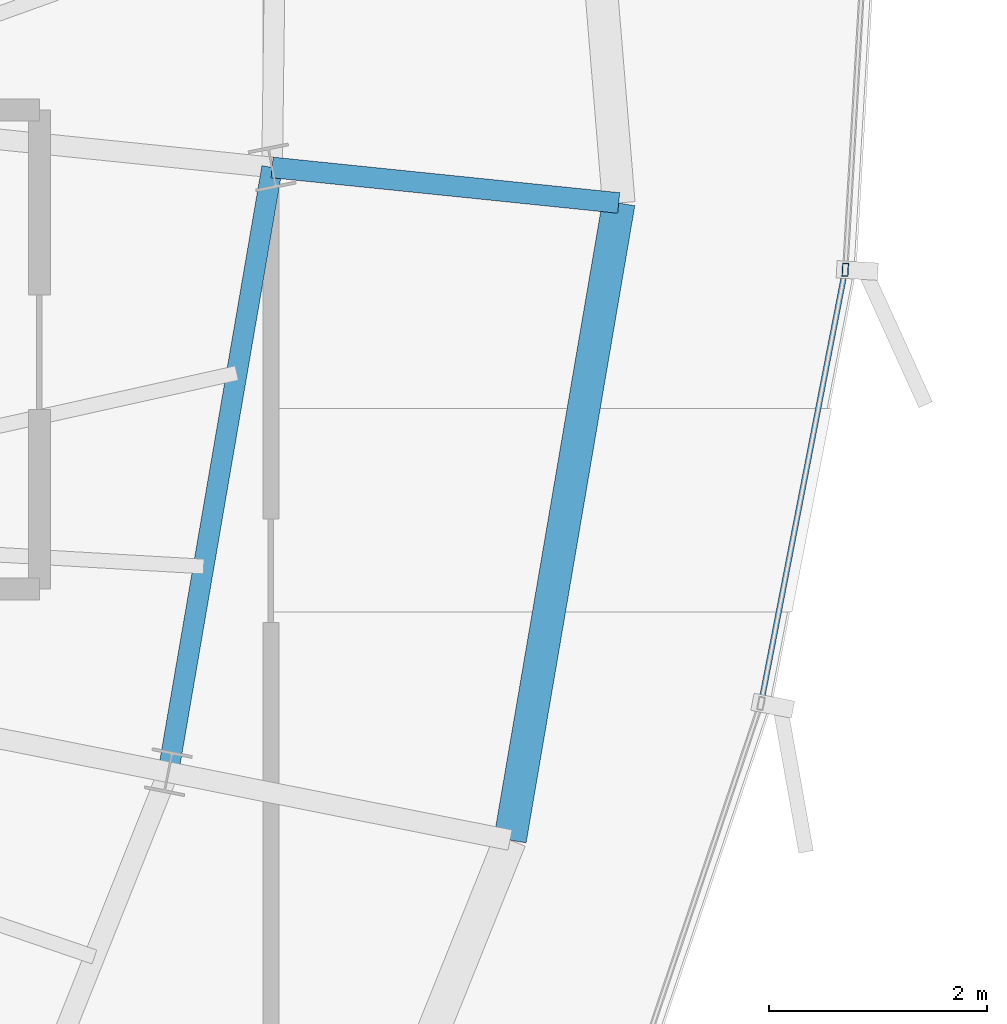
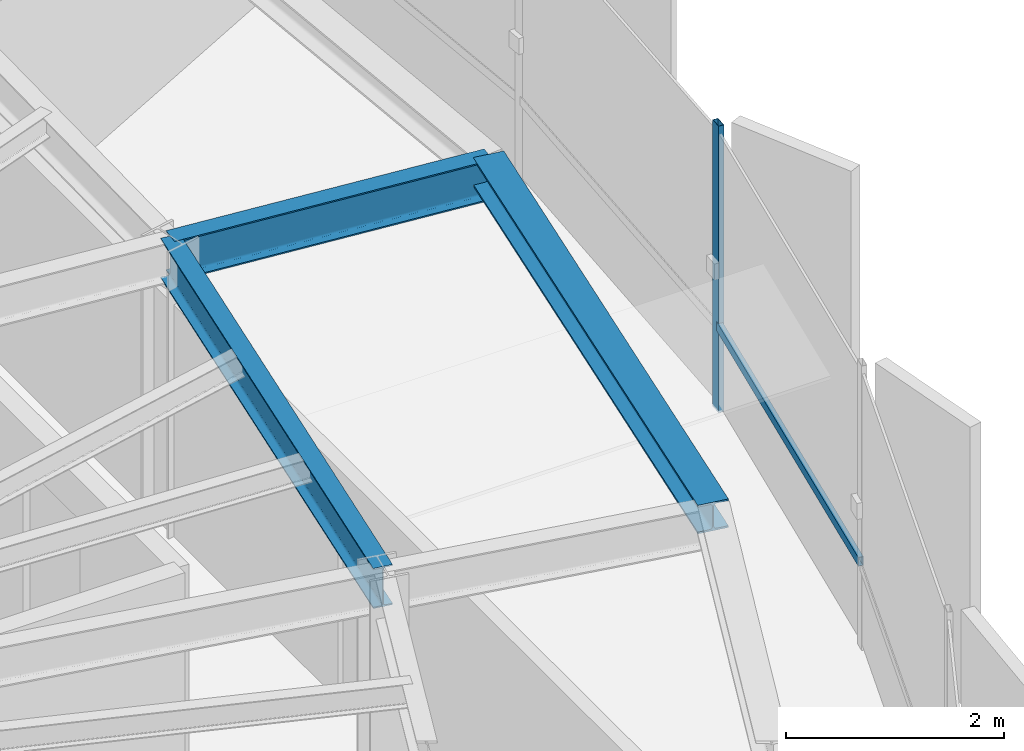
# One storey, part 15 of 32: 3 beams, 2 members, 1 element without a shape of its own.
"""IFC4 building model written with IfcOpenShell, lengths in metres."""

from ifc_helpers import new_model, si_unit, direction, frame, origin, origin_2d, place, context, subcontext, project, spatial, hollow_rectangle, i_section, extrude, source, transform, mapped, material, layer, layer_set, material_profile, profile_set, type_object, element, aggregate, save


model = new_model("IFC4")

# Units and contexts
model_context = context("Model", 3, precision=1e-05, world=origin(), true_north=direction((0.0, 1.0)))
body_context = subcontext(model_context, "Body", "Model", "MODEL_VIEW")
ifc_project = project(units=[si_unit("LENGTHUNIT", "METRE"), si_unit("AREAUNIT", "SQUARE_METRE"), si_unit("VOLUMEUNIT", "CUBIC_METRE"), si_unit("PLANEANGLEUNIT", "RADIAN"), si_unit("MASSUNIT", "GRAM", prefix="KILO"), si_unit("THERMODYNAMICTEMPERATUREUNIT", "KELVIN")], contexts=[model_context])

# Site, building, storey
site_placement = place(None, origin())
site = spatial("IfcSite", under=ifc_project, at=site_placement, CompositionType="ELEMENT")
building_placement = place(site_placement, origin())
building = spatial("IfcBuilding", under=site, at=building_placement, Name="Kethvar Cultural Tower", CompositionType="ELEMENT")
storey_placement = place(building_placement, frame((0.0, 0.0, 273.25)))
storey = spatial("IfcBuildingStorey", under=building, at=storey_placement, Name="L72", CompositionType="ELEMENT", Elevation=273.25)

# Beams
ifc_material_1 = material(Name="Steel S355J2", Category="steel")
ifc_material_profile_1 = material_profile(ifc_material_1, i_section(OverallWidth=0.18994140625, OverallDepth=0.449951171875, WebThickness=0.009521484375, FlangeThickness=0.0146484375, FilletRadius=0.02099609375, at=origin_2d()), Name="Steel S355J2 — IPE450")
ifc_profile_set_1 = profile_set([ifc_material_profile_1], Name="Steel S355J2 — IPE450")
beam_type_1 = type_object("IfcBeamType", Name="BM-IPE450", PredefinedType="BEAM", material=ifc_profile_set_1)
shared_shape_1 = source(origin(), body_context, "Body", "SweptSolid", [
    extrude(i_section(OverallWidth=0.18994140625, OverallDepth=0.449951171875, WebThickness=0.009521484375, FlangeThickness=0.0146484375, FilletRadius=0.02099609375, at=origin_2d()), origin(), (0.0, 0.0, 1.0), 3.199951171875),
])
beam_1_placement = place(storey_placement, frame((61.237060546875, 30.671630859375, 2.98291015625), z_axis=(0.994784019447, -0.10200369921, 0.0), x_axis=(0.10200369921, 0.994784019447, 0.0)))
element("IfcBeam", 1, at=beam_1_placement, inside=storey, type_object=beam_type_1, Name="L72 Perimeter Cantilever Beam RC-01", PredefinedType="BEAM", context=body_context, shape_type="MappedRepresentation", body=[
    mapped(shared_shape_1, transform((0.0, 0.0, 0.0), scale=1.0)),
])
shared_shape_2 = source(origin(), body_context, "Body", "SweptSolid", [
    extrude(i_section(OverallWidth=0.18994140625, OverallDepth=0.449951171875, WebThickness=0.009521484375, FlangeThickness=0.0146484375, FilletRadius=0.02099609375, at=origin_2d()), origin(), (0.0, 0.0, 1.0), 5.635009765625),
])
beam_2_placement = place(storey_placement, frame((60.28369140625, 25.117919921875, 2.98291015625), z_axis=(0.169188687614, 0.985583678834, 0.0), x_axis=(-0.985583678834, 0.169188687614, 0.0)))
element("IfcBeam", 2, at=beam_2_placement, inside=storey, type_object=beam_type_1, Name="L72 Column Ring Tie Beam CR-16", PredefinedType="BEAM", context=body_context, shape_type="MappedRepresentation", body=[
    mapped(shared_shape_2, transform((0.0, 0.0, 0.0), scale=1.0)),
])
ifc_material_profile_2 = material_profile(ifc_material_1, i_section(OverallWidth=0.300048828125, OverallDepth=0.320068359375, WebThickness=0.011474609375, FlangeThickness=0.0205078125, FilletRadius=0.027099609375, at=origin_2d()), Name="Steel S355J2 — HEB320")
ifc_profile_set_2 = profile_set([ifc_material_profile_2], Name="Steel S355J2 — HEB320")
beam_type_2 = type_object("IfcBeamType", Name="BM-SP320", PredefinedType="SPANDREL", material=ifc_profile_set_2)
shared_shape_3 = source(origin(), body_context, "Body", "SweptSolid", [
    extrude(i_section(OverallWidth=0.300048828125, OverallDepth=0.320068359375, WebThickness=0.011474609375, FlangeThickness=0.0205078125, FilletRadius=0.027099609375, at=origin_2d()), origin(), (0.0, 0.0, 1.0), 5.93603515625),
])
beam_3_placement = place(storey_placement, frame((63.422119140625, 24.49365234375, 3.048095703125), z_axis=(0.16817267321, 0.985757552335, 0.0), x_axis=(-0.985757552335, 0.16817267321, 0.0)))
element("IfcBeam", 3, at=beam_3_placement, inside=storey, type_object=beam_type_2, Name="L72 Perimeter Spandrel Beam SP-16", PredefinedType="SPANDREL", context=body_context, shape_type="MappedRepresentation", body=[
    mapped(shared_shape_3, transform((0.0, 0.0, 0.0), scale=1.0)),
])

# Curtain wall, members
ifc_material_2 = material(Name="Aluminium 6063-T6", Category="aluminium")
ifc_layer = layer(ifc_material_2, 0.179931640625, Name="Aluminium 6063-T6", Category="aluminium")
ifc_layer_set = layer_set([ifc_layer], Name="Aluminium 6063-T6 (180 mm)")
curtain_wall_type = type_object("IfcCurtainWallType", Name="CW-SYS-05-Z56", PredefinedType="NOTDEFINED", material=ifc_layer_set)
curtain_wall_placement = place(storey_placement, origin())
curtain_wall = element("IfcCurtainWall", 4, at=curtain_wall_placement, inside=storey, type_object=curtain_wall_type, Name="L72 Curtain Wall Run 06", PredefinedType="NOTDEFINED")
ifc_material_profile_3 = material_profile(ifc_material_2, hollow_rectangle(XDim=0.054931640625, YDim=0.1201171875, WallThickness=0.00390625, at=origin_2d()), Name="Aluminium 6063-T6 — RHS120x55x4")
ifc_profile_set_3 = profile_set([ifc_material_profile_3], Name="Aluminium 6063-T6 — RHS120x55x4")
member_type_1 = type_object("IfcMemberType", Name="CW-SYS-05-Z56-MUL", PredefinedType="MULLION", material=ifc_profile_set_3)
shared_shape_4 = source(origin(), body_context, "Body", "SweptSolid", [
    extrude(hollow_rectangle(XDim=0.054931640625, YDim=0.1201171875, WallThickness=0.00390625, at=origin_2d()), origin(), (0.0, 0.0, 1.0), 3.2099609375),
])
member_1_placement = place(storey_placement, frame((66.501220703125, 29.731689453125, 0.0), z_axis=(0.0, 0.0, 1.0), x_axis=(-0.998286099154, 0.058522339638, 0.0)))
member_1 = element("IfcMember", 5, at=member_1_placement, type_object=member_type_1, Name="CW-L72-R06 Mullion 4", PredefinedType="MULLION", context=body_context, shape_type="MappedRepresentation", body=[
    mapped(shared_shape_4, transform((0.0, 0.0, 0.0), scale=1.0)),
])
ifc_material_profile_4 = material_profile(ifc_material_2, hollow_rectangle(XDim=0.050048828125, YDim=0.10009765625, WallThickness=0.00390625, at=origin_2d()), Name="Aluminium 6063-T6 — RHS100x50x4")
ifc_profile_set_4 = profile_set([ifc_material_profile_4], Name="Aluminium 6063-T6 — RHS100x50x4")
member_type_2 = type_object("IfcMemberType", Name="CW-SYS-05-Z56-TRN", PredefinedType="USERDEFINED", material=ifc_profile_set_4)
shared_shape_5 = source(origin(), body_context, "Body", "SweptSolid", [
    extrude(hollow_rectangle(XDim=0.050048828125, YDim=0.10009765625, WallThickness=0.00390625, at=origin_2d()), origin(), (0.0, 0.0, 1.0), 3.99169921875),
])
member_2_placement = place(storey_placement, frame((65.734619140625, 25.78759765625, 0.949951171875), z_axis=(0.19058479841, 0.981670736355, 0.0), x_axis=(-0.981670736355, 0.19058479841, 0.0)))
member_2 = element("IfcMember", 6, at=member_2_placement, type_object=member_type_2, Name="CW-L72-R06 Transom 3", ObjectType="TRANSOM", PredefinedType="USERDEFINED", context=body_context, shape_type="MappedRepresentation", body=[
    mapped(shared_shape_5, transform((0.0, 0.0, 0.0), scale=1.0)),
])
aggregate(curtain_wall, [member_1, member_2])

save(model, "model.ifc")
